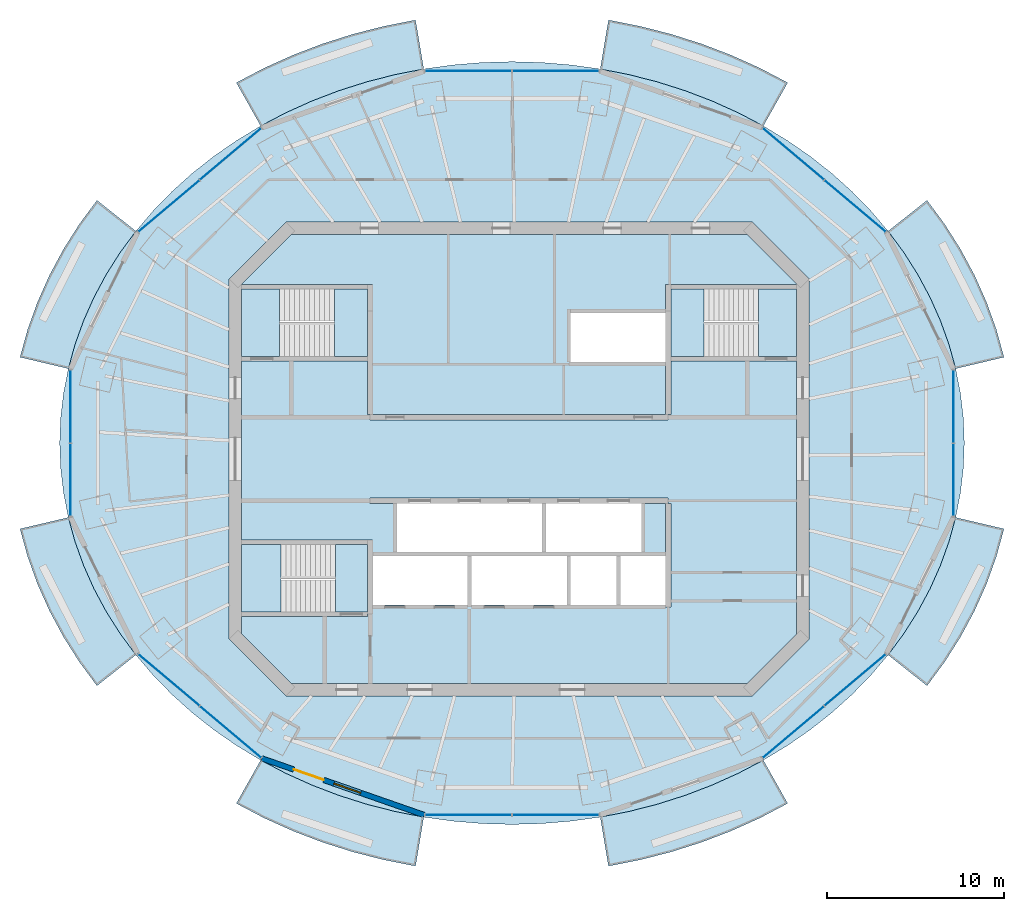
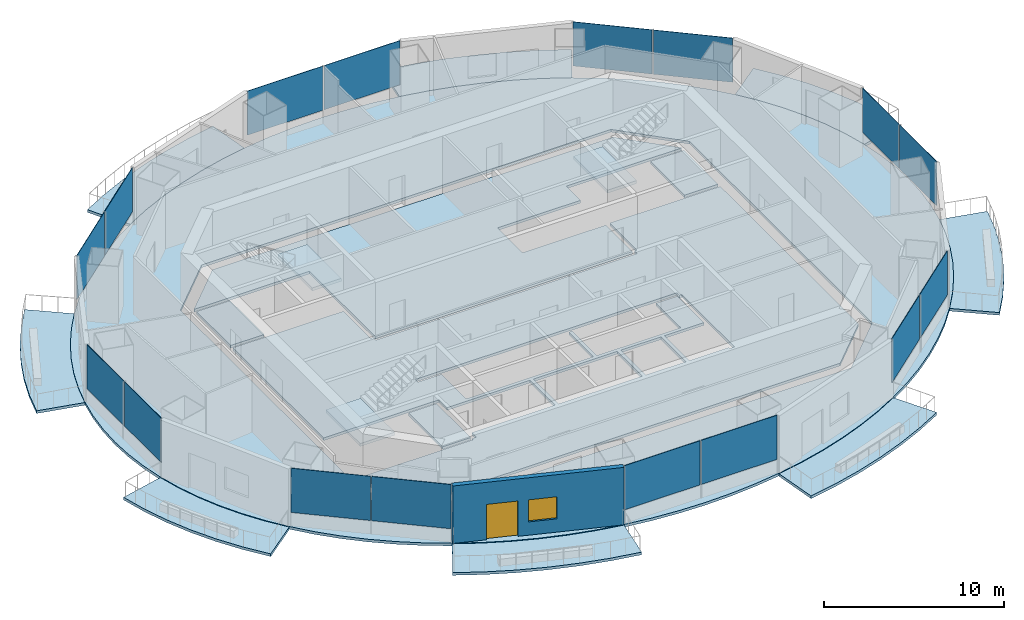
# One storey, part 7 of 14: 17 slabs, 16 plates, 1 door, 1 wall, 1 window, 2 openings, 11 elements without a shape of their own.
"""IFC4 building model written with IfcOpenShell, lengths in metres."""

from ifc_helpers import new_model, si_unit, direction, frame, frame_2d, origin, origin_2d, place, context, subcontext, project, spatial, polyline, rectangle, outline, extrude, material, layer, layer_set, type_object, element, fill, aggregate, save


model = new_model("IFC4")

# Units and contexts
model_context = context("Model", 3, precision=1e-05, world=origin(), true_north=direction((0.0, 1.0)))
body_context = subcontext(model_context, "Body", "Model", "MODEL_VIEW")
ifc_project = project(units=[si_unit("LENGTHUNIT", "METRE"), si_unit("AREAUNIT", "SQUARE_METRE"), si_unit("VOLUMEUNIT", "CUBIC_METRE"), si_unit("PLANEANGLEUNIT", "RADIAN"), si_unit("MASSUNIT", "GRAM", prefix="KILO")], contexts=[model_context])

# Site, building, storey
site_placement = place(None, origin())
site = spatial("IfcSite", under=ifc_project, at=site_placement, CompositionType="ELEMENT")
building_placement = place(site_placement, origin())
building = spatial("IfcBuilding", under=site, at=building_placement, Name="Marenthal Gate Tower", CompositionType="ELEMENT")
storey_placement = place(building_placement, frame((0.0, 0.0, 392.39990234375)))
storey = spatial("IfcBuildingStorey", under=building, at=storey_placement, Name="L89", CompositionType="ELEMENT", Elevation=392.39990234375)

# Slabs
ifc_material_1 = material(Name="Concrete 40 MPa", Category="concrete")
ifc_layer_1 = layer(ifc_material_1, 0.179931640625)
ifc_layer_set_1 = layer_set([ifc_layer_1], Name="Balcony deck 180")
slab_type_1 = type_object("IfcSlabType", Name="Balcony deck 180", PredefinedType="USERDEFINED", material=ifc_layer_set_1)
slab_1_placement = place(storey_placement, frame((0.0, 0.0, -0.219970703125)))
element("IfcSlab", 1, at=slab_1_placement, inside=storey, type_object=slab_type_1, Name="Balcony deck L89 bay 1", ObjectType="BALCONY", PredefinedType="USERDEFINED", context=body_context, shape_type="SweptSolid", body=[
    extrude(outline(polyline([(24.610107421875, 5.094482421875), (24.231201171875, 6.464599609375), (23.74658203125, 7.810791015625), (23.158935546875, 9.127685546875), (22.47021484375, 10.4091796875), (21.68359375, 11.64990234375), (20.802490234375, 12.8447265625), (22.996826171875, 14.583984375), (23.993896484375, 13.23193359375), (24.88720703125, 11.82275390625), (25.672119140625, 10.3623046875), (26.343994140625, 8.856689453125), (26.899658203125, 7.312744140625), (27.335205078125, 5.7373046875), (24.610107421875, 5.094482421875)])), origin(), (0.0, 0.0, 1.0), 0.18017578125),
])
slab_2_placement = place(storey_placement, frame((0.0, 0.0, -0.219970703125)))
element("IfcSlab", 2, at=slab_2_placement, inside=storey, type_object=slab_type_1, Name="Balcony deck L89 bay 3", ObjectType="BALCONY", PredefinedType="USERDEFINED", context=body_context, shape_type="SweptSolid", body=[
    extrude(outline(polyline([(13.76708984375, 18.776611328125), (12.35009765625, 19.51953125), (10.87841796875, 20.182861328125), (9.3583984375, 20.763427734375), (7.796630859375, 21.259033203125), (6.199951171875, 21.66748046875), (4.57470703125, 21.98681640625), (5.037841796875, 24.748291015625), (6.81689453125, 24.398681640625), (8.567138671875, 23.950927734375), (10.281494140625, 23.40673828125), (11.953369140625, 22.768310546875), (13.575439453125, 22.037109375), (15.141357421875, 21.216064453125), (13.76708984375, 18.776611328125)])), origin(), (0.0, 0.0, 1.0), 0.18017578125),
])
slab_3_placement = place(storey_placement, frame((0.0, 0.0, -0.219970703125)))
element("IfcSlab", 3, at=slab_3_placement, inside=storey, type_object=slab_type_1, Name="Balcony deck L89 bay 5", ObjectType="BALCONY", PredefinedType="USERDEFINED", context=body_context, shape_type="SweptSolid", body=[
    extrude(outline(polyline([(-5.374755859375, 21.98681640625), (-7.0, 21.66748046875), (-8.5966796875, 21.259033203125), (-10.158447265625, 20.763427734375), (-11.678466796875, 20.182861328125), (-13.14990234375, 19.51953125), (-14.56689453125, 18.776611328125), (-15.94140625, 21.216064453125), (-14.37548828125, 22.037109375), (-12.75341796875, 22.768310546875), (-11.08154296875, 23.40673828125), (-9.3671875, 23.950927734375), (-7.616943359375, 24.398681640625), (-5.837890625, 24.748291015625), (-5.374755859375, 21.98681640625)])), origin(), (0.0, 0.0, 1.0), 0.18017578125),
])
slab_4_placement = place(storey_placement, frame((0.0, 0.0, -0.219970703125)))
element("IfcSlab", 4, at=slab_4_placement, inside=storey, type_object=slab_type_1, Name="Balcony deck L89 bay 7", ObjectType="BALCONY", PredefinedType="USERDEFINED", context=body_context, shape_type="SweptSolid", body=[
    extrude(outline(polyline([(-21.6025390625, 12.8447265625), (-22.483642578125, 11.64990234375), (-23.270263671875, 10.4091796875), (-23.958984375, 9.127685546875), (-24.546630859375, 7.810791015625), (-25.031005859375, 6.464599609375), (-25.409912109375, 5.094482421875), (-28.13525390625, 5.7373046875), (-27.69970703125, 7.312744140625), (-27.14404296875, 8.856689453125), (-26.471923828125, 10.3623046875), (-25.687255859375, 11.82275390625), (-24.7939453125, 13.23193359375), (-23.796875, 14.583984375), (-21.6025390625, 12.8447265625)])), origin(), (0.0, 0.0, 1.0), 0.18017578125),
])
slab_5_placement = place(storey_placement, frame((0.0, 0.0, -0.219970703125)))
element("IfcSlab", 5, at=slab_5_placement, inside=storey, type_object=slab_type_1, Name="Balcony deck L89 bay 9", ObjectType="BALCONY", PredefinedType="USERDEFINED", context=body_context, shape_type="SweptSolid", body=[
    extrude(outline(polyline([(-25.409912109375, -3.29443359375), (-25.031005859375, -4.66455078125), (-24.546630859375, -6.010986328125), (-23.958984375, -7.32763671875), (-23.270263671875, -8.609130859375), (-22.483642578125, -9.85009765625), (-21.6025390625, -11.044921875), (-23.796875, -12.783935546875), (-24.7939453125, -11.431884765625), (-25.687255859375, -10.02294921875), (-26.471923828125, -8.562255859375), (-27.14404296875, -7.056640625), (-27.69970703125, -5.5126953125), (-28.13525390625, -3.937255859375), (-25.409912109375, -3.29443359375)])), origin(), (0.0, 0.0, 1.0), 0.18017578125),
])
slab_6_placement = place(storey_placement, frame((0.0, 0.0, -0.219970703125)))
element("IfcSlab", 6, at=slab_6_placement, inside=storey, type_object=slab_type_1, Name="Balcony deck L89 bay 11", ObjectType="BALCONY", PredefinedType="USERDEFINED", context=body_context, shape_type="SweptSolid", body=[
    extrude(outline(polyline([(-14.56689453125, -16.9765625), (-13.14990234375, -17.719482421875), (-11.678466796875, -18.3828125), (-10.158447265625, -18.96337890625), (-8.5966796875, -19.458984375), (-7.0, -19.867431640625), (-5.374755859375, -20.18701171875), (-5.837890625, -22.9482421875), (-7.616943359375, -22.5986328125), (-9.3671875, -22.15087890625), (-11.08154296875, -21.60693359375), (-12.75341796875, -20.96826171875), (-14.37548828125, -20.237060546875), (-15.94140625, -19.416015625), (-14.56689453125, -16.9765625)])), origin(), (0.0, 0.0, 1.0), 0.18017578125),
])
slab_7_placement = place(storey_placement, frame((0.0, 0.0, -0.219970703125)))
element("IfcSlab", 7, at=slab_7_placement, inside=storey, type_object=slab_type_1, Name="Balcony deck L89 bay 13", ObjectType="BALCONY", PredefinedType="USERDEFINED", context=body_context, shape_type="SweptSolid", body=[
    extrude(outline(polyline([(4.57470703125, -20.18701171875), (6.199951171875, -19.867431640625), (7.796630859375, -19.458984375), (9.3583984375, -18.96337890625), (10.87841796875, -18.3828125), (12.35009765625, -17.719482421875), (13.76708984375, -16.9765625), (15.141357421875, -19.416015625), (13.575439453125, -20.237060546875), (11.953369140625, -20.96826171875), (10.281494140625, -21.60693359375), (8.567138671875, -22.15087890625), (6.81689453125, -22.5986328125), (5.037841796875, -22.9482421875), (4.57470703125, -20.18701171875)])), origin(), (0.0, 0.0, 1.0), 0.18017578125),
])
slab_8_placement = place(storey_placement, frame((0.0, 0.0, -0.219970703125)))
element("IfcSlab", 8, at=slab_8_placement, inside=storey, type_object=slab_type_1, Name="Balcony deck L89 bay 15", ObjectType="BALCONY", PredefinedType="USERDEFINED", context=body_context, shape_type="SweptSolid", body=[
    extrude(outline(polyline([(20.802490234375, -11.044921875), (21.68359375, -9.85009765625), (22.47021484375, -8.609130859375), (23.158935546875, -7.32763671875), (23.74658203125, -6.010986328125), (24.231201171875, -4.66455078125), (24.610107421875, -3.29443359375), (27.335205078125, -3.937255859375), (26.899658203125, -5.5126953125), (26.343994140625, -7.056640625), (25.672119140625, -8.562255859375), (24.88720703125, -10.02294921875), (23.993896484375, -11.431884765625), (22.996826171875, -12.783935546875), (20.802490234375, -11.044921875)])), origin(), (0.0, 0.0, 1.0), 0.18017578125),
])
ifc_material_2 = material(Name="Concrete 50 MPa", Category="concrete")
ifc_layer_2 = layer(ifc_material_2, 0.179931640625)
ifc_layer_set_2 = layer_set([ifc_layer_2], Name="Core floor slab 180")
slab_type_2 = type_object("IfcSlabType", Name="Core floor slab 180", PredefinedType="FLOOR", material=ifc_layer_set_2)
slab_9_placement = place(storey_placement, frame((0.0, 0.0, -0.179931640625)))
element("IfcSlab", 9, at=slab_9_placement, inside=storey, type_object=slab_type_2, Name="Core floor L89", PredefinedType="FLOOR", context=body_context, shape_type="SweptSolid", body=[
    extrude(outline(polyline([(12.85498046875, -12.64990234375), (-12.85498046875, -12.64990234375), (-15.64990234375, -9.85498046875), (-15.64990234375, -8.875), (-8.550048828125, -8.875), (-8.550048828125, -8.75), (-8.25, -8.75), (-8.25, -8.239990234375), (-5.60009765625, -8.239990234375), (-2.909912109375, -8.239990234375), (-2.909912109375, -5.4599609375), (-5.60009765625, -5.4599609375), (-8.25, -5.4599609375), (-8.25, -4.574951171875), (-8.550048828125, -4.574951171875), (-15.64990234375, -4.574951171875), (-15.64990234375, 5.52490234375), (-8.550048828125, 5.52490234375), (-8.550048828125, 2.5), (-8.39990234375, 2.5), (-8.39990234375, 2.199951171875), (8.39990234375, 2.199951171875), (8.39990234375, 2.5), (8.550048828125, 2.5), (8.550048828125, 5.52490234375), (15.64990234375, 5.52490234375), (15.64990234375, -9.85498046875), (12.85498046875, -12.64990234375)]), holes=[polyline([(0.0, -8.239990234375), (2.68994140625, -8.239990234375), (2.68994140625, -5.4599609375), (0.0, -5.4599609375), (-2.68994140625, -5.4599609375), (-2.68994140625, -8.239990234375), (0.0, -8.239990234375)]), polyline([(1.2900390625, -5.239990234375), (1.2900390625, -2.5), (1.510009765625, -2.5), (1.510009765625, -5.239990234375), (4.199951171875, -5.239990234375), (6.889892578125, -5.239990234375), (6.889892578125, -2.5), (8.25, -2.5), (8.25, -5.4599609375), (5.7099609375, -5.4599609375), (5.7099609375, -8.239990234375), (8.25, -8.239990234375), (8.25, -8.35009765625), (8.550048828125, -8.35009765625), (8.550048828125, -2.5), (8.39990234375, -2.5), (8.39990234375, -2.199951171875), (-8.39990234375, -2.199951171875), (-8.39990234375, -2.5), (-6.889892578125, -2.5), (-6.889892578125, -5.239990234375), (-4.199951171875, -5.239990234375), (-1.39990234375, -5.239990234375), (1.2900390625, -5.239990234375)]), polyline([(5.489990234375, -5.4599609375), (2.909912109375, -5.4599609375), (2.909912109375, -8.239990234375), (5.489990234375, -8.239990234375), (5.489990234375, -5.4599609375)])]), origin(), (0.0, 0.0, 1.0), 0.179931640625),
])
slab_10_placement = place(storey_placement, frame((0.0, 0.0, -0.179931640625)))
element("IfcSlab", 10, at=slab_10_placement, inside=storey, type_object=slab_type_2, Name="Core floor L89", PredefinedType="FLOOR", context=body_context, shape_type="SweptSolid", body=[
    extrude(outline(polyline([(15.64990234375, 5.77490234375), (13.5, 5.77490234375), (13.5, 9.574951171875), (15.64990234375, 9.574951171875), (15.64990234375, 5.77490234375)])), origin(), (0.0, 0.0, 1.0), 0.179931640625),
])
slab_11_placement = place(storey_placement, frame((0.0, 0.0, -0.179931640625)))
element("IfcSlab", 11, at=slab_11_placement, inside=storey, type_object=slab_type_2, Name="Core floor L89", PredefinedType="FLOOR", context=body_context, shape_type="SweptSolid", body=[
    extrude(outline(polyline([(15.64990234375, 9.824951171875), (8.550048828125, 9.824951171875), (8.25, 9.824951171875), (8.25, 8.35009765625), (8.25, 8.239990234375), (5.60009765625, 8.239990234375), (2.909912109375, 8.239990234375), (2.909912109375, 5.4599609375), (5.60009765625, 5.4599609375), (8.25, 5.4599609375), (8.25, 2.5), (-8.25, 2.5), (-8.25, 8.35009765625), (-8.25, 9.824951171875), (-8.550048828125, 9.824951171875), (-15.64990234375, 9.824951171875), (-15.64990234375, 9.85498046875), (-12.85498046875, 12.64990234375), (12.85498046875, 12.64990234375), (15.64990234375, 9.85498046875), (15.64990234375, 9.824951171875)])), origin(), (0.0, 0.0, 1.0), 0.179931640625),
])
slab_12_placement = place(storey_placement, frame((0.0, 0.0, -0.179931640625)))
element("IfcSlab", 12, at=slab_12_placement, inside=storey, type_object=slab_type_2, Name="Core floor L89", PredefinedType="FLOOR", context=body_context, shape_type="SweptSolid", body=[
    extrude(outline(polyline([(-15.64990234375, 9.574951171875), (-13.5, 9.574951171875), (-13.5, 5.77490234375), (-15.64990234375, 5.77490234375), (-15.64990234375, 9.574951171875)])), origin(), (0.0, 0.0, 1.0), 0.179931640625),
])
slab_13_placement = place(storey_placement, frame((0.0, 0.0, -0.179931640625)))
element("IfcSlab", 13, at=slab_13_placement, inside=storey, type_object=slab_type_2, Name="Core floor L89", PredefinedType="FLOOR", context=body_context, shape_type="SweptSolid", body=[
    extrude(outline(polyline([(-8.550048828125, -4.824951171875), (-8.550048828125, -8.625), (-10.35009765625, -8.625), (-10.35009765625, -4.824951171875), (-8.550048828125, -4.824951171875)])), origin(), (0.0, 0.0, 1.0), 0.179931640625),
])
ifc_material_3 = material(Name="Concrete 35 MPa", Category="concrete")
ifc_layer_3 = layer(ifc_material_3, 0.179931640625)
ifc_layer_set_3 = layer_set([ifc_layer_3], Name="Floor slab 180")
slab_type_3 = type_object("IfcSlabType", Name="Floor slab 180", PredefinedType="FLOOR", material=ifc_layer_set_3)
slab_14_placement = place(storey_placement, frame((0.0, 0.0, -0.179931640625)))
element("IfcSlab", 14, at=slab_14_placement, inside=storey, type_object=slab_type_3, Name="SL-L89-01", PredefinedType="FLOOR", context=body_context, shape_type="SweptSolid", body=[
    extrude(outline(polyline([(25.10009765625, 0.89990234375), (25.04541015625, 2.30615234375), (24.8818359375, 3.706298828125), (24.610107421875, 5.094482421875), (24.231201171875, 6.464599609375), (23.74658203125, 7.810791015625), (23.158935546875, 9.127685546875), (22.47021484375, 10.4091796875), (21.68359375, 11.64990234375), (20.802490234375, 12.8447265625), (19.83056640625, 13.98828125), (18.77197265625, 15.075927734375), (17.631103515625, 16.102783203125), (16.413330078125, 17.064697265625), (15.123291015625, 17.95703125), (13.76708984375, 18.776611328125), (12.35009765625, 19.51953125), (10.87841796875, 20.182861328125), (9.3583984375, 20.763427734375), (7.796630859375, 21.259033203125), (6.199951171875, 21.66748046875), (4.57470703125, 21.98681640625), (2.928466796875, 22.216064453125), (1.267822265625, 22.35400390625), (-0.39990234375, 22.39990234375), (-2.06787109375, 22.35400390625), (-3.728515625, 22.216064453125), (-5.374755859375, 21.98681640625), (-7.0, 21.66748046875), (-8.5966796875, 21.259033203125), (-10.158447265625, 20.763427734375), (-11.678466796875, 20.182861328125), (-13.14990234375, 19.51953125), (-14.56689453125, 18.776611328125), (-15.92333984375, 17.95703125), (-17.21337890625, 17.064697265625), (-18.43115234375, 16.102783203125), (-19.572021484375, 15.075927734375), (-20.630615234375, 13.98828125), (-21.6025390625, 12.8447265625), (-22.483642578125, 11.64990234375), (-23.270263671875, 10.4091796875), (-23.958984375, 9.127685546875), (-24.546630859375, 7.810791015625), (-25.031005859375, 6.464599609375), (-25.409912109375, 5.094482421875), (-25.681884765625, 3.706298828125), (-25.845458984375, 2.30615234375), (-25.89990234375, 0.89990234375), (-25.845458984375, -0.506103515625), (-25.681884765625, -1.90625), (-25.409912109375, -3.29443359375), (-25.031005859375, -4.66455078125), (-24.546630859375, -6.010986328125), (-23.958984375, -7.32763671875), (-23.270263671875, -8.609130859375), (-22.483642578125, -9.85009765625), (-21.6025390625, -11.044921875), (-20.630615234375, -12.1884765625), (-19.572021484375, -13.27587890625), (-18.43115234375, -14.302734375), (-17.21337890625, -15.2646484375), (-15.92333984375, -16.156982421875), (-14.56689453125, -16.9765625), (-13.14990234375, -17.719482421875), (-11.678466796875, -18.3828125), (-10.158447265625, -18.96337890625), (-8.5966796875, -19.458984375), (-7.0, -19.867431640625), (-5.374755859375, -20.18701171875), (-3.728515625, -20.416015625), (-2.06787109375, -20.553955078125), (-0.39990234375, -20.60009765625), (1.267822265625, -20.553955078125), (2.928466796875, -20.416015625), (4.57470703125, -20.18701171875), (6.199951171875, -19.867431640625), (7.796630859375, -19.458984375), (9.3583984375, -18.96337890625), (10.87841796875, -18.3828125), (12.35009765625, -17.719482421875), (13.76708984375, -16.9765625), (15.123291015625, -16.156982421875), (16.413330078125, -15.2646484375), (17.631103515625, -14.302734375), (18.77197265625, -13.27587890625), (19.83056640625, -12.1884765625), (20.802490234375, -11.044921875), (21.68359375, -9.85009765625), (22.47021484375, -8.609130859375), (23.158935546875, -7.32763671875), (23.74658203125, -6.010986328125), (24.231201171875, -4.66455078125), (24.610107421875, -3.29443359375), (24.8818359375, -1.90625), (25.04541015625, -0.506103515625), (25.10009765625, 0.89990234375)]), holes=[polyline([(13.14501953125, -13.35009765625), (16.35009765625, -10.14501953125), (16.35009765625, 10.14501953125), (13.14501953125, 13.35009765625), (-13.14501953125, 13.35009765625), (-16.35009765625, 10.14501953125), (-16.35009765625, -10.14501953125), (-13.14501953125, -13.35009765625), (13.14501953125, -13.35009765625)])]), origin(), (0.0, 0.0, 1.0), 0.179931640625),
])

# Curtain wall, plates
ifc_material_4 = material(Name="Aluminium and glass", Category="aluminium")
curtain_wall_type = type_object("IfcCurtainWallType", Name="Curtain wall typical high", PredefinedType="NOTDEFINED", material=ifc_material_4)
curtain_wall_1_placement = place(storey_placement, origin())
curtain_wall_1 = element("IfcCurtainWall", 15, at=curtain_wall_1_placement, inside=storey, type_object=curtain_wall_type, Name="Curtain wall L89 bay 2", PredefinedType="NOTDEFINED")
ifc_material_5 = material(Name="Glass, laminated insulating unit", Category="glass")
ifc_layer_4 = layer(ifc_material_5, 0.031982421875)
ifc_layer_set_4 = layer_set([ifc_layer_4], Name="Glass panel 32 typical high")
plate_type = type_object("IfcPlateType", Name="Glass panel 32 typical high", PredefinedType="CURTAIN_PANEL", material=ifc_layer_set_4)
plate_1_placement = place(storey_placement, frame((18.940673828125, 14.262451171875, 0.900146484375), z_axis=(0.0, 0.0, 1.0), x_axis=(-0.764802142616, 0.644265226944, 0.0)))
plate_1 = element("IfcPlate", 16, at=plate_1_placement, type_object=plate_type, Name="Glass panel L89 bay 2.1", PredefinedType="CURTAIN_PANEL", context=body_context, shape_type="SweptSolid", body=[
    extrude(rectangle(XDim=4.48779296875, YDim=0.031982421875, at=origin_2d()), origin(), (0.0, 0.0, 1.0), 3.0),
])
plate_2_placement = place(storey_placement, frame((15.46240234375, 17.1923828125, 0.900146484375), z_axis=(0.0, 0.0, 1.0), x_axis=(-0.764802142616, 0.644265226944, 0.0)))
plate_2 = element("IfcPlate", 17, at=plate_2_placement, type_object=plate_type, Name="Glass panel L89 bay 2.2", PredefinedType="CURTAIN_PANEL", context=body_context, shape_type="SweptSolid", body=[
    extrude(rectangle(XDim=4.48779296875, YDim=0.031982421875, at=origin_2d()), origin(), (0.0, 0.0, 1.0), 3.0),
])
aggregate(curtain_wall_1, [plate_1, plate_2])

curtain_wall_2_placement = place(storey_placement, origin())
curtain_wall_2 = element("IfcCurtainWall", 18, at=curtain_wall_2_placement, inside=storey, type_object=curtain_wall_type, Name="Curtain wall L89 bay 4", PredefinedType="NOTDEFINED")
plate_3_placement = place(storey_placement, frame((2.060791015625, 21.869140625, 0.900146484375), z_axis=(0.0, 0.0, 1.0), x_axis=(-1.0, 0.0, 0.0)))
plate_3 = element("IfcPlate", 19, at=plate_3_placement, type_object=plate_type, Name="Glass panel L89 bay 4.1", PredefinedType="CURTAIN_PANEL", context=body_context, shape_type="SweptSolid", body=[
    extrude(rectangle(XDim=4.861328125, YDim=0.031982421875, at=origin_2d()), origin(), (0.0, 0.0, 1.0), 3.0),
])
plate_4_placement = place(storey_placement, frame((-2.860595703125, 21.869140625, 0.900146484375), z_axis=(0.0, 0.0, 1.0), x_axis=(-1.0, 0.0, 0.0)))
plate_4 = element("IfcPlate", 20, at=plate_4_placement, type_object=plate_type, Name="Glass panel L89 bay 4.2", PredefinedType="CURTAIN_PANEL", context=body_context, shape_type="SweptSolid", body=[
    extrude(rectangle(XDim=4.861328125, YDim=0.031982421875, at=origin_2d()), origin(), (0.0, 0.0, 1.0), 3.0),
])
aggregate(curtain_wall_2, [plate_3, plate_4])

curtain_wall_3_placement = place(storey_placement, origin())
curtain_wall_3 = element("IfcCurtainWall", 21, at=curtain_wall_3_placement, inside=storey, type_object=curtain_wall_type, Name="Curtain wall L89 bay 6", PredefinedType="NOTDEFINED")
plate_5_placement = place(storey_placement, frame((-16.262451171875, 17.1923828125, 0.900146484375), z_axis=(0.0, 0.0, 1.0), x_axis=(-0.764802142616, -0.644265226944, 0.0)))
plate_5 = element("IfcPlate", 22, at=plate_5_placement, type_object=plate_type, Name="Glass panel L89 bay 6.1", PredefinedType="CURTAIN_PANEL", context=body_context, shape_type="SweptSolid", body=[
    extrude(rectangle(XDim=4.48779296875, YDim=0.031982421875, at=origin_2d()), origin(), (0.0, 0.0, 1.0), 3.0),
])
plate_6_placement = place(storey_placement, frame((-19.74072265625, 14.262451171875, 0.900146484375), z_axis=(0.0, 0.0, 1.0), x_axis=(-0.764802142616, -0.644265226944, 0.0)))
plate_6 = element("IfcPlate", 23, at=plate_6_placement, type_object=plate_type, Name="Glass panel L89 bay 6.2", PredefinedType="CURTAIN_PANEL", context=body_context, shape_type="SweptSolid", body=[
    extrude(rectangle(XDim=4.48779296875, YDim=0.031982421875, at=origin_2d()), origin(), (0.0, 0.0, 1.0), 3.0),
])
aggregate(curtain_wall_3, [plate_5, plate_6])

curtain_wall_4_placement = place(storey_placement, origin())
curtain_wall_4 = element("IfcCurtainWall", 24, at=curtain_wall_4_placement, inside=storey, type_object=curtain_wall_type, Name="Curtain wall L89 bay 8", PredefinedType="NOTDEFINED")
plate_7_placement = place(storey_placement, frame((-25.292236328125, 2.970458984375, 0.900146484375), z_axis=(0.0, 0.0, 1.0), x_axis=(0.0, -1.0, 0.0)))
plate_7 = element("IfcPlate", 25, at=plate_7_placement, type_object=plate_type, Name="Glass panel L89 bay 8.1", PredefinedType="CURTAIN_PANEL", context=body_context, shape_type="SweptSolid", body=[
    extrude(rectangle(XDim=4.0810546875, YDim=0.031982421875, at=origin_2d()), origin(), (0.0, 0.0, 1.0), 3.0),
])
plate_8_placement = place(storey_placement, frame((-25.292236328125, -1.17041015625, 0.900146484375), z_axis=(0.0, 0.0, 1.0), x_axis=(0.0, -1.0, 0.0)))
plate_8 = element("IfcPlate", 26, at=plate_8_placement, type_object=plate_type, Name="Glass panel L89 bay 8.2", PredefinedType="CURTAIN_PANEL", context=body_context, shape_type="SweptSolid", body=[
    extrude(rectangle(XDim=4.0810546875, YDim=0.031982421875, at=origin_2d()), origin(), (0.0, 0.0, 1.0), 3.0),
])
aggregate(curtain_wall_4, [plate_7, plate_8])

curtain_wall_5_placement = place(storey_placement, origin())
curtain_wall_5 = element("IfcCurtainWall", 27, at=curtain_wall_5_placement, inside=storey, type_object=curtain_wall_type, Name="Curtain wall L89 bay 10", PredefinedType="NOTDEFINED")
plate_9_placement = place(storey_placement, frame((-19.74072265625, -12.46240234375, 0.900146484375), z_axis=(0.0, 0.0, 1.0), x_axis=(0.764802142616, -0.644265226944, 0.0)))
plate_9 = element("IfcPlate", 28, at=plate_9_placement, type_object=plate_type, Name="Glass panel L89 bay 10.1", PredefinedType="CURTAIN_PANEL", context=body_context, shape_type="SweptSolid", body=[
    extrude(rectangle(XDim=4.48779296875, YDim=0.031982421875, at=origin_2d()), origin(), (0.0, 0.0, 1.0), 3.0),
])
plate_10_placement = place(storey_placement, frame((-16.262451171875, -15.392578125, 0.900146484375), z_axis=(0.0, 0.0, 1.0), x_axis=(0.764802142616, -0.644265226944, 0.0)))
plate_10 = element("IfcPlate", 29, at=plate_10_placement, type_object=plate_type, Name="Glass panel L89 bay 10.2", PredefinedType="CURTAIN_PANEL", context=body_context, shape_type="SweptSolid", body=[
    extrude(rectangle(XDim=4.48779296875, YDim=0.031982421875, at=origin_2d()), origin(), (0.0, 0.0, 1.0), 3.0),
])
aggregate(curtain_wall_5, [plate_9, plate_10])

curtain_wall_6_placement = place(storey_placement, origin())
curtain_wall_6 = element("IfcCurtainWall", 30, at=curtain_wall_6_placement, inside=storey, type_object=curtain_wall_type, Name="Curtain wall L89 bay 12", PredefinedType="NOTDEFINED")
plate_11_placement = place(storey_placement, frame((-2.860595703125, -20.069091796875, 0.900146484375), z_axis=(0.0, 0.0, 1.0), x_axis=(1.0, 0.0, 0.0)))
plate_11 = element("IfcPlate", 31, at=plate_11_placement, type_object=plate_type, Name="Glass panel L89 bay 12.1", PredefinedType="CURTAIN_PANEL", context=body_context, shape_type="SweptSolid", body=[
    extrude(rectangle(XDim=4.861328125, YDim=0.031982421875, at=origin_2d()), origin(), (0.0, 0.0, 1.0), 3.0),
])
plate_12_placement = place(storey_placement, frame((2.060791015625, -20.069091796875, 0.900146484375), z_axis=(0.0, 0.0, 1.0), x_axis=(1.0, 0.0, 0.0)))
plate_12 = element("IfcPlate", 32, at=plate_12_placement, type_object=plate_type, Name="Glass panel L89 bay 12.2", PredefinedType="CURTAIN_PANEL", context=body_context, shape_type="SweptSolid", body=[
    extrude(rectangle(XDim=4.861328125, YDim=0.031982421875, at=origin_2d()), origin(), (0.0, 0.0, 1.0), 3.0),
])
aggregate(curtain_wall_6, [plate_11, plate_12])

curtain_wall_7_placement = place(storey_placement, origin())
curtain_wall_7 = element("IfcCurtainWall", 33, at=curtain_wall_7_placement, inside=storey, type_object=curtain_wall_type, Name="Curtain wall L89 bay 14", PredefinedType="NOTDEFINED")
plate_13_placement = place(storey_placement, frame((15.46240234375, -15.392333984375, 0.900146484375), z_axis=(0.0, 0.0, 1.0), x_axis=(0.764802142616, 0.644265226944, 0.0)))
plate_13 = element("IfcPlate", 34, at=plate_13_placement, type_object=plate_type, Name="Glass panel L89 bay 14.1", PredefinedType="CURTAIN_PANEL", context=body_context, shape_type="SweptSolid", body=[
    extrude(rectangle(XDim=4.48779296875, YDim=0.031982421875, at=origin_2d()), origin(), (0.0, 0.0, 1.0), 3.0),
])
plate_14_placement = place(storey_placement, frame((18.940673828125, -12.46240234375, 0.900146484375), z_axis=(0.0, 0.0, 1.0), x_axis=(0.764802142616, 0.644265226944, 0.0)))
plate_14 = element("IfcPlate", 35, at=plate_14_placement, type_object=plate_type, Name="Glass panel L89 bay 14.2", PredefinedType="CURTAIN_PANEL", context=body_context, shape_type="SweptSolid", body=[
    extrude(rectangle(XDim=4.48779296875, YDim=0.031982421875, at=origin_2d()), origin(), (0.0, 0.0, 1.0), 3.0),
])
aggregate(curtain_wall_7, [plate_13, plate_14])

curtain_wall_8_placement = place(storey_placement, origin())
curtain_wall_8 = element("IfcCurtainWall", 36, at=curtain_wall_8_placement, inside=storey, type_object=curtain_wall_type, Name="Curtain wall L89 bay 16", PredefinedType="NOTDEFINED")
plate_15_placement = place(storey_placement, frame((24.4921875, -1.17041015625, 0.900146484375), z_axis=(0.0, 0.0, 1.0), x_axis=(0.0, 1.0, 0.0)))
plate_15 = element("IfcPlate", 37, at=plate_15_placement, type_object=plate_type, Name="Glass panel L89 bay 16.1", PredefinedType="CURTAIN_PANEL", context=body_context, shape_type="SweptSolid", body=[
    extrude(rectangle(XDim=4.0810546875, YDim=0.031982421875, at=origin_2d()), origin(), (0.0, 0.0, 1.0), 3.0),
])
plate_16_placement = place(storey_placement, frame((24.4921875, 2.970458984375, 0.900146484375), z_axis=(0.0, 0.0, 1.0), x_axis=(0.0, 1.0, 0.0)))
plate_16 = element("IfcPlate", 38, at=plate_16_placement, type_object=plate_type, Name="Glass panel L89 bay 16.2", PredefinedType="CURTAIN_PANEL", context=body_context, shape_type="SweptSolid", body=[
    extrude(rectangle(XDim=4.0810546875, YDim=0.031982421875, at=origin_2d()), origin(), (0.0, 0.0, 1.0), 3.0),
])
aggregate(curtain_wall_8, [plate_15, plate_16])

# Stair, slab
ifc_material_6 = material(Name="Concrete 40 MPa", Category="concrete")
stair_type = type_object("IfcStairType", Name="Exit stair 1800", PredefinedType="HALF_TURN_STAIR", material=ifc_material_6)
stair_1_placement = place(storey_placement, origin())
stair_1 = element("IfcStair", 39, at=stair_1_placement, inside=storey, type_object=stair_type, Name="Stair ST1", PredefinedType="HALF_TURN_STAIR")
ifc_material_7 = material(Name="Concrete 40 MPa", Category="concrete")
ifc_layer_5 = layer(ifc_material_7, 0.199951171875)
ifc_layer_set_5 = layer_set([ifc_layer_5], Name="Stair landing 200")
slab_type_4 = type_object("IfcSlabType", Name="Stair landing 200", PredefinedType="LANDING", material=ifc_layer_set_5)
slab_15_placement = place(storey_placement, frame((0.0, 0.0, 1.875)))
slab_15 = element("IfcSlab", 40, at=slab_15_placement, type_object=slab_type_4, Name="ST1 landing 1", PredefinedType="LANDING", context=body_context, shape_type="SweptSolid", body=[
    extrude(outline(polyline([(-10.419921875, 5.77490234375), (-8.550048828125, 5.77490234375), (-8.550048828125, 9.574951171875), (-10.419921875, 9.574951171875), (-10.419921875, 5.77490234375)])), origin(), (0.0, 0.0, 1.0), 0.2001953125),
])
aggregate(stair_1, [slab_15])

stair_2_placement = place(storey_placement, origin())
stair_2 = element("IfcStair", 41, at=stair_2_placement, inside=storey, type_object=stair_type, Name="Stair ST2", PredefinedType="HALF_TURN_STAIR")
slab_16_placement = place(storey_placement, frame((0.0, 0.0, 1.875)))
slab_16 = element("IfcSlab", 42, at=slab_16_placement, type_object=slab_type_4, Name="ST2 landing 1", PredefinedType="LANDING", context=body_context, shape_type="SweptSolid", body=[
    extrude(outline(polyline([(-15.64990234375, -8.625), (-13.429931640625, -8.625), (-13.429931640625, -4.824951171875), (-15.64990234375, -4.824951171875), (-15.64990234375, -8.625)])), origin(), (0.0, 0.0, 1.0), 0.2001953125),
])
aggregate(stair_2, [slab_16])

stair_3_placement = place(storey_placement, origin())
stair_3 = element("IfcStair", 43, at=stair_3_placement, inside=storey, type_object=stair_type, Name="Stair ST3", PredefinedType="HALF_TURN_STAIR")
slab_17_placement = place(storey_placement, frame((0.0, 0.0, 1.875)))
slab_17 = element("IfcSlab", 44, at=slab_17_placement, type_object=slab_type_4, Name="ST3 landing 1", PredefinedType="LANDING", context=body_context, shape_type="SweptSolid", body=[
    extrude(outline(polyline([(8.550048828125, 5.77490234375), (10.419921875, 5.77490234375), (10.419921875, 9.574951171875), (8.550048828125, 9.574951171875), (8.550048828125, 5.77490234375)])), origin(), (0.0, 0.0, 1.0), 0.2001953125),
])
aggregate(stair_3, [slab_17])

# Wall, openings, door, window
ifc_material_8 = material(Name="Terracotta cladding on insulated concrete-block backing", Category="masonry")
ifc_layer_6 = layer(ifc_material_8, 0.300048828125)
ifc_layer_set_6 = layer_set([ifc_layer_6], Name="Terracotta facade wall 300")
wall_type = type_object("IfcWallType", Name="Terracotta facade wall 300", PredefinedType="SOLIDWALL", material=ifc_layer_set_6)
wall_placement = place(storey_placement, frame((-14.50048828125, -16.876708984375, 0.0), z_axis=(0.0, 0.0, 1.0), x_axis=(0.944174121216, -0.329446852809, 0.0)))
wall = element("IfcWall", 45, at=wall_placement, inside=storey, type_object=wall_type, Name="Terracotta facade wall L89 bay 11", PredefinedType="SOLIDWALL", context=body_context, shape_type="SweptSolid", body=[
    extrude(rectangle(XDim=9.690185546875, YDim=0.300048828125, at=frame_2d((4.84521484375, 0.0))), origin(), (0.0, 0.0, 1.0), 3.900146484375),
])
opening_1_placement = place(wall_placement, frame((1.89990234375, 0.0, 0.0)))
opening_1 = element("IfcOpeningElement", 46, at=opening_1_placement, cuts=wall, Name="Opening BD-L89-11", PredefinedType="OPENING", context=body_context, shape_type="SweptSolid", body=[
    extrude(rectangle(XDim=1.800048828125, YDim=2.39990234375, at=frame_2d((0.89990234375, 1.199951171875))), frame((0.0, 0.16015625, 0.0), z_axis=(0.0, -1.0, 0.0), x_axis=(1.0, 0.0, 0.0)), (0.0, 0.0, 1.0), 0.320068359375),
])
opening_2_placement = place(wall_placement, frame((4.300048828125, 0.0, 0.89990234375)))
opening_2 = element("IfcOpeningElement", 47, at=opening_2_placement, cuts=wall, Name="Opening WN3-L89-11", PredefinedType="OPENING", context=body_context, shape_type="SweptSolid", body=[
    extrude(rectangle(XDim=1.60009765625, YDim=1.5, at=frame_2d((0.800048828125, 0.75))), frame((0.0, 0.16015625, 0.0), z_axis=(0.0, -1.0, 0.0), x_axis=(1.0, 0.0, 0.0)), (0.0, 0.0, 1.0), 0.320068359375),
])
ifc_material_9 = material(Name="Aluminium and glass", Category="aluminium")
door_type = type_object("IfcDoorType", Name="Balcony door 1800x2400", OperationType="DOUBLE_DOOR_SINGLE_SWING", PredefinedType="DOOR", material=ifc_material_9)
door_placement = place(opening_1_placement, origin())
door = element("IfcDoor", 48, at=door_placement, inside=storey, type_object=door_type, Name="Balcony door L89 bay 11", OperationType="SINGLE_SWING_LEFT", OverallHeight=2.39990234375, OverallWidth=1.800048828125, PredefinedType="DOOR", context=body_context, shape_type="SweptSolid", body=[
    extrude(rectangle(XDim=1.800048828125, YDim=2.39990234375, at=frame_2d((0.89990234375, 1.199951171875))), frame((0.0, 0.02490234375, 0.0), z_axis=(0.0, -1.0, 0.0), x_axis=(1.0, 0.0, 0.0)), (0.0, 0.0, 1.0), 0.050048828125),
])
fill(opening_1, door)
ifc_material_10 = material(Name="Aluminium and glass", Category="aluminium")
window_type = type_object("IfcWindowType", Name="Window 1600x1500", PartitioningType="DOUBLE_PANEL_VERTICAL", PredefinedType="WINDOW", material=ifc_material_10)
window_placement = place(opening_2_placement, origin())
window = element("IfcWindow", 49, at=window_placement, inside=storey, type_object=window_type, Name="Window L89 bay 11", OverallHeight=1.5, OverallWidth=1.60009765625, PartitioningType="SINGLE_PANEL", PredefinedType="WINDOW", context=body_context, shape_type="SweptSolid", body=[
    extrude(rectangle(XDim=1.60009765625, YDim=1.5, at=frame_2d((0.800048828125, 0.75))), frame((0.0, 0.030029296875, 0.0), z_axis=(0.0, -1.0, 0.0), x_axis=(1.0, 0.0, 0.0)), (0.0, 0.0, 1.0), 0.06005859375),
])
fill(opening_2, window)

save(model, "model.ifc")
